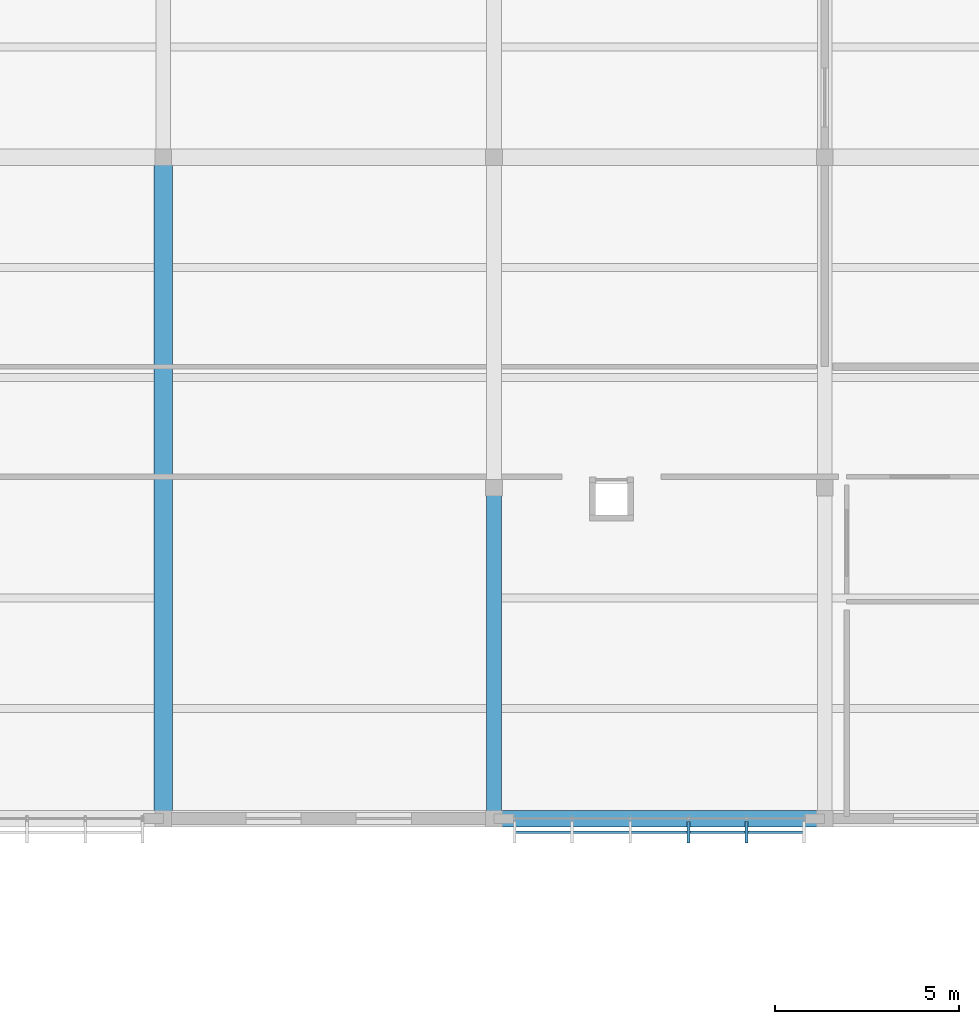
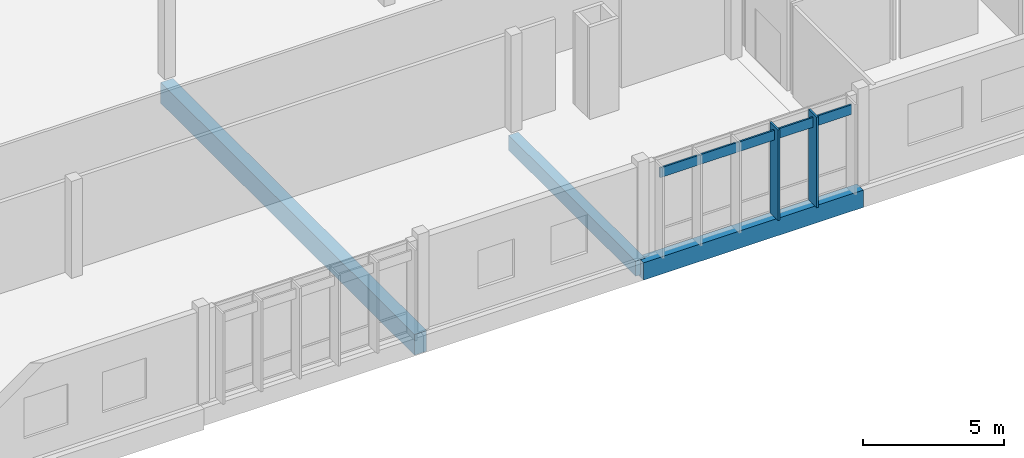
# One storey, part 47 of 94: 3 beams, 3 members, 1 element without a shape of its own.
"""IFC4 building model written with IfcOpenShell, lengths in metres."""

from ifc_helpers import new_model, si_unit, direction, frame, origin, origin_2d, place, context, subcontext, project, spatial, rectangle, extrude, material, material_profile, profile_set, type_object, element, aggregate, save


model = new_model("IFC4")

# Units and contexts
model_context = context("Model", 3, precision=1e-05, world=origin(), true_north=direction((0.0, 1.0)))
body_context = subcontext(model_context, "Body", "Model", "MODEL_VIEW")
ifc_project = project(units=[si_unit("LENGTHUNIT", "METRE"), si_unit("AREAUNIT", "SQUARE_METRE"), si_unit("VOLUMEUNIT", "CUBIC_METRE"), si_unit("PLANEANGLEUNIT", "RADIAN"), si_unit("MASSUNIT", "GRAM", prefix="KILO")], contexts=[model_context])

# Site, building, storey
site_placement = place(None, origin())
site = spatial("IfcSite", under=ifc_project, at=site_placement, CompositionType="ELEMENT")
building_placement = place(site_placement, origin())
building = spatial("IfcBuilding", under=site, at=building_placement, Name="Chiffa Square Polytechnic", CompositionType="ELEMENT")
storey_placement = place(building_placement, frame((0.0, 0.0, 18.0)))
storey = spatial("IfcBuildingStorey", under=building, at=storey_placement, Name="L04", CompositionType="ELEMENT", Elevation=18.0)

# Beams
ifc_material_1 = material(Name="Concrete C35/45", Category="concrete")
ifc_material_profile_1 = material_profile(ifc_material_1, rectangle(XDim=0.39990234375, YDim=0.64990234375, at=origin_2d()), Name="RC 400x650")
ifc_profile_set_1 = profile_set([ifc_material_profile_1], Name="Concrete C35/45")
beam_type_1 = type_object("IfcBeamType", Name="BM-RC-400X650", PredefinedType="BEAM", material=ifc_profile_set_1)
beam_1_placement = place(storey_placement, frame((75.60009765625, 103.800048828125, -0.56494140625), z_axis=(0.0, 1.0, 0.0), x_axis=(-1.0, 0.0, 0.0)))
element("IfcBeam", 1, at=beam_1_placement, inside=storey, type_object=beam_type_1, Name="Primary floor girder BM-V5-L04-Y-0756-1038", PredefinedType="BEAM", context=body_context, shape_type="SweptSolid", body=[
    extrude(rectangle(XDim=0.39990234375, YDim=0.64990234375, at=origin_2d()), origin(), (0.0, 0.0, 1.0), 9.0),
])
ifc_material_profile_2 = material_profile(ifc_material_1, rectangle(XDim=0.449951171875, YDim=0.75, at=origin_2d()), Name="RC 450x750")
ifc_profile_set_2 = profile_set([ifc_material_profile_2], Name="Concrete C35/45")
beam_type_2 = type_object("IfcBeamType", Name="BM-RC-450X750", PredefinedType="BEAM", material=ifc_profile_set_2)
beam_2_placement = place(storey_placement, frame((75.60009765625, 103.800048828125, -0.614990234375), z_axis=(1.0, 0.0, 0.0), x_axis=(0.0, 1.0, 0.0)))
element("IfcBeam", 2, at=beam_2_placement, inside=storey, type_object=beam_type_2, Name="Primary floor girder BM-V5-L04-X-0756-1038", PredefinedType="BEAM", context=body_context, shape_type="SweptSolid", body=[
    extrude(rectangle(XDim=0.449951171875, YDim=0.75, at=origin_2d()), origin(), (0.0, 0.0, 1.0), 9.0),
])
ifc_material_2 = material(Name="Concrete C40/50", Category="concrete")
ifc_material_profile_3 = material_profile(ifc_material_2, rectangle(XDim=0.5, YDim=0.89990234375, at=origin_2d()), Name="RC 500x900")
ifc_profile_set_3 = profile_set([ifc_material_profile_3], Name="Concrete C40/50")
beam_type_3 = type_object("IfcBeamType", Name="BM-RC-500X900", PredefinedType="BEAM", material=ifc_profile_set_3)
beam_3_placement = place(storey_placement, frame((66.60009765625, 103.800048828125, -0.68994140625), z_axis=(0.0, 1.0, 0.0), x_axis=(-1.0, 0.0, 0.0)))
element("IfcBeam", 3, at=beam_3_placement, inside=storey, type_object=beam_type_3, Name="Primary floor girder BM-V5-L04-Y-0666-1038", PredefinedType="BEAM", context=body_context, shape_type="SweptSolid", body=[
    extrude(rectangle(XDim=0.5, YDim=0.89990234375, at=origin_2d()), origin(), (0.0, 0.0, 1.0), 18.0),
])

# Curtain wall, members
ifc_material_3 = material(Name="Aluminium EN AW-6060 T66 and glulam shading", Category="wood")
curtain_wall_type = type_object("IfcCurtainWallType", Name="CW-VERT-450X380", PredefinedType="USERDEFINED", material=ifc_material_3)
curtain_wall_placement = place(storey_placement, origin())
curtain_wall = element("IfcCurtainWall", 4, at=curtain_wall_placement, inside=storey, type_object=curtain_wall_type, Name="Curtain wall CW-V5-L04-242", ObjectType="CURTAIN WALL", PredefinedType="USERDEFINED")
ifc_material_4 = material(Name="Glulam GL28h", Category="wood")
ifc_material_profile_4 = material_profile(ifc_material_4, rectangle(XDim=0.080078125, YDim=0.580078125, at=origin_2d()), Name="GL28h 80x580")
ifc_profile_set_4 = profile_set([ifc_material_profile_4], Name="Glulam GL28h")
member_type_1 = type_object("IfcMemberType", Name="CWM-GL-80X580", PredefinedType="MULLION", material=ifc_profile_set_4)
member_1_placement = place(storey_placement, frame((80.89208984375, 103.427978515625, 0.010009765625), z_axis=(0.0, 0.0, 1.0), x_axis=(1.0, 0.0, 0.0)))
member_1 = element("IfcMember", 5, at=member_1_placement, type_object=member_type_1, Name="Exterior glulam solar fin CW-V5-L04-242-FN03", PredefinedType="MULLION", context=body_context, shape_type="SweptSolid", body=[
    extrude(rectangle(XDim=0.080078125, YDim=0.580078125, at=origin_2d()), origin(), (0.0, 0.0, 1.0), 3.919921875),
])
member_2_placement = place(storey_placement, frame((82.47607421875, 103.427978515625, 0.010009765625), z_axis=(0.0, 0.0, 1.0), x_axis=(1.0, 0.0, 0.0)))
member_2 = element("IfcMember", 6, at=member_2_placement, type_object=member_type_1, Name="Exterior glulam solar fin CW-V5-L04-242-FN04", PredefinedType="MULLION", context=body_context, shape_type="SweptSolid", body=[
    extrude(rectangle(XDim=0.080078125, YDim=0.580078125, at=origin_2d()), origin(), (0.0, 0.0, 1.0), 3.919921875),
])
ifc_material_profile_5 = material_profile(ifc_material_4, rectangle(XDim=0.070068359375, YDim=0.419921875, at=origin_2d()), Name="GL28h 70x420")
ifc_profile_set_5 = profile_set([ifc_material_profile_5], Name="Glulam GL28h")
member_type_2 = type_object("IfcMemberType", Name="CWT-GL-70X420", PredefinedType="USERDEFINED", material=ifc_profile_set_5)
member_3_placement = place(storey_placement, frame((76.1650390625, 103.427978515625, 3.56005859375), z_axis=(1.0, 0.0, 0.0), x_axis=(0.0, 1.0, 0.0)))
member_3 = element("IfcMember", 7, at=member_3_placement, type_object=member_type_2, Name="Exterior glulam brise-soleil CW-V5-L04-242-BS01", ObjectType="TRANSOM", PredefinedType="USERDEFINED", context=body_context, shape_type="SweptSolid", body=[
    extrude(rectangle(XDim=0.070068359375, YDim=0.419921875, at=origin_2d()), origin(), (0.0, 0.0, 1.0), 7.869873046875),
])
aggregate(curtain_wall, [member_1, member_2, member_3])

save(model, "model.ifc")
